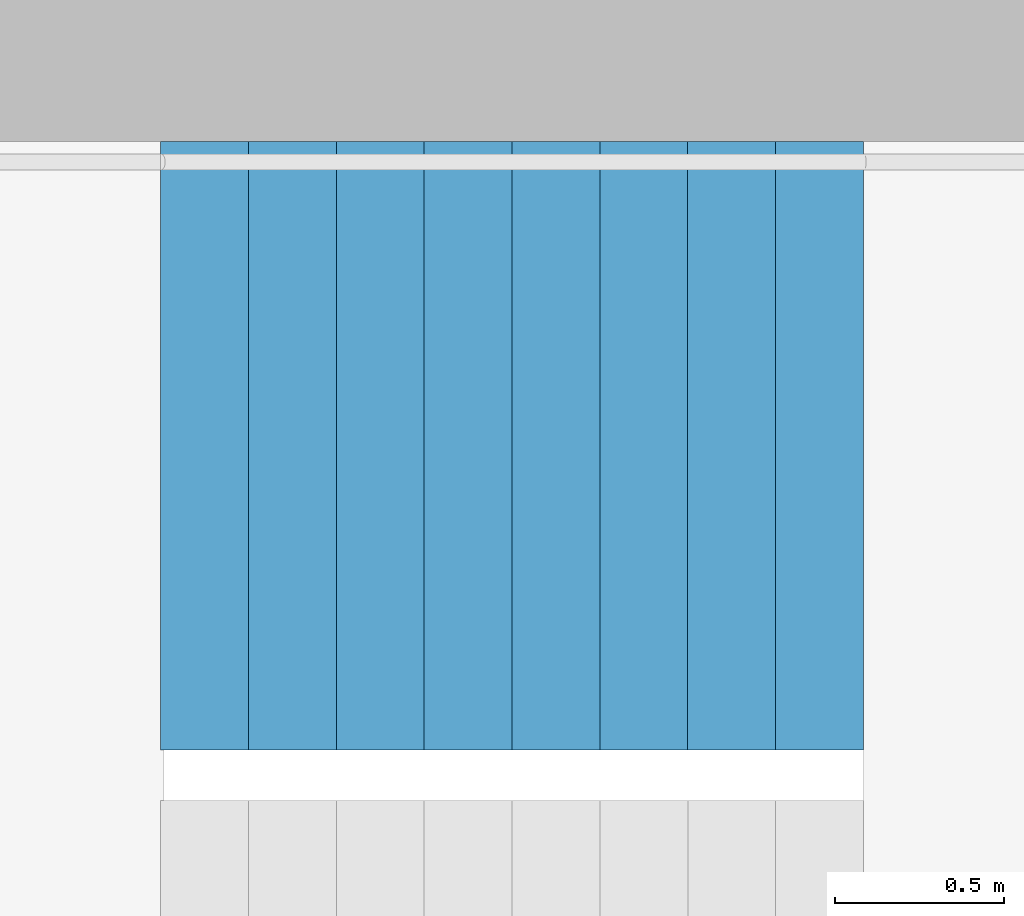
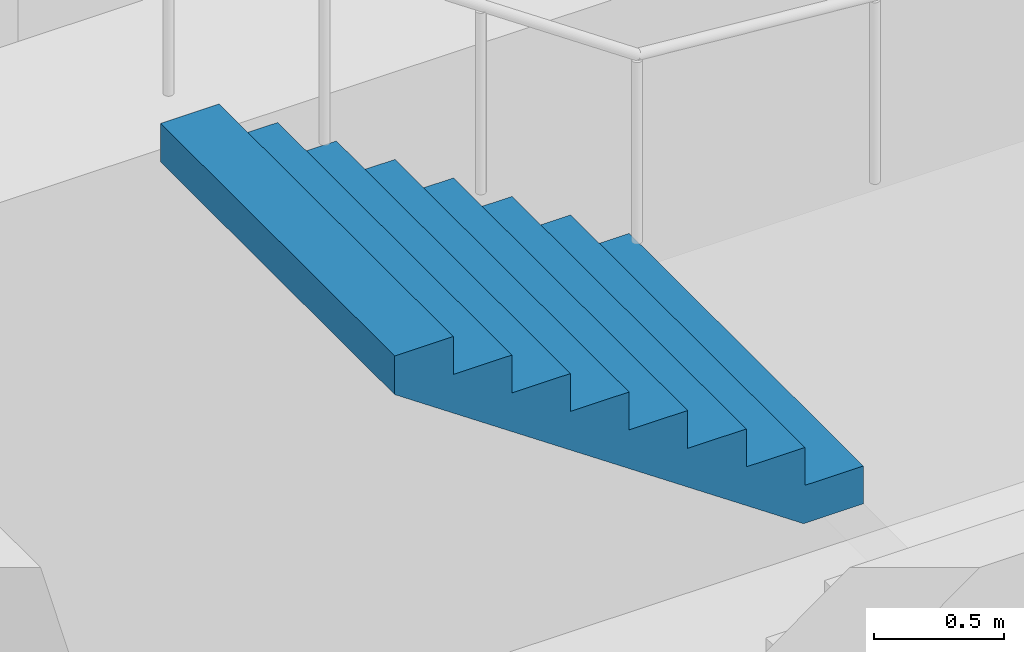
# One storey, part 21 of 26: 1 stair flight, 1 element without a shape of its own.
"""IFC4 building model written with IfcOpenShell, lengths in metres."""

from ifc_helpers import new_model, si_unit, direction, frame, origin, place, context, subcontext, project, spatial, triangles, material, type_object, element, aggregate, save


model = new_model("IFC4")

# Units and contexts
model_context = context("Model", 3, precision=1e-05, world=origin(), true_north=direction((0.0, 1.0)))
body_context = subcontext(model_context, "Body", "Model", "MODEL_VIEW")
ifc_project = project(units=[si_unit("LENGTHUNIT", "METRE"), si_unit("AREAUNIT", "SQUARE_METRE"), si_unit("VOLUMEUNIT", "CUBIC_METRE"), si_unit("PLANEANGLEUNIT", "RADIAN"), si_unit("MASSUNIT", "GRAM", prefix="KILO")], contexts=[model_context])

# Site, building, storey
site_placement = place(None, origin())
site = spatial("IfcSite", under=ifc_project, at=site_placement, CompositionType="ELEMENT")
building_placement = place(site_placement, origin())
building = spatial("IfcBuilding", under=site, at=building_placement, Name="Hakoniwa Tower and Hamabe Station Hall", CompositionType="ELEMENT")
storey_placement = place(building_placement, frame((0.0, 0.0, 225.0)))
storey = spatial("IfcBuildingStorey", under=building, at=storey_placement, Name="L64", CompositionType="ELEMENT", Elevation=225.0)

# Stair, stair flight
ifc_material_1 = material(Name="Concrete C40", Category="concrete")
stair_type = type_object("IfcStairType", Name="ESCAPE STAIR 1800", PredefinedType="HALF_TURN_STAIR", material=ifc_material_1)
stair_placement = place(storey_placement, origin())
stair = element("IfcStair", 1, at=stair_placement, inside=storey, type_object=stair_type, Name="Escape stair ST-1 L64", PredefinedType="HALF_TURN_STAIR")
ifc_material_2 = material(Name="Concrete C40", Category="concrete")
stair_flight_type = type_object("IfcStairFlightType", Name="STAIR FLIGHT 1800", PredefinedType="STRAIGHT", material=ifc_material_2)
stair_flight_placement = place(storey_placement, frame((-22.320068359375, 6.60009765625, 1.60009765625), z_axis=(0.0, 0.0, 1.0), x_axis=(-1.0, 0.0, 0.0)))
stair_flight = element("IfcStairFlight", 2, at=stair_flight_placement, type_object=stair_flight_type, Name="ST-1 flight 2", NumberOfRisers=9, NumberOfTreads=8, PredefinedType="STRAIGHT", RiserHeight=0.177777778, TreadLength=0.26, context=body_context, shape_type="Tessellation", body=[
    triangles([(0.0, 0.89990234375, 0.0), (0.260009765625, 0.89990234375, 0.0), (0.265625, 0.89990234375, 0.0), (0.52001953125, 0.89990234375, 0.174072265625), (0.780029296875, 0.89990234375, 0.351806640625), (1.0400390625, 0.89990234375, 0.529541015625), (1.300048828125, 0.89990234375, 0.707275390625), (1.56005859375, 0.89990234375, 0.885009765625), (1.820068359375, 0.89990234375, 1.062744140625), (2.080078125, 0.89990234375, 1.24072265625), (2.080078125, 0.89990234375, 1.422119140625), (1.820068359375, 0.89990234375, 1.422119140625), (1.820068359375, 0.89990234375, 1.244384765625), (1.56005859375, 0.89990234375, 1.244384765625), (1.56005859375, 0.89990234375, 1.066650390625), (1.300048828125, 0.89990234375, 1.066650390625), (1.300048828125, 0.89990234375, 0.888916015625), (1.0400390625, 0.89990234375, 0.888916015625), (1.0400390625, 0.89990234375, 0.711181640625), (0.780029296875, 0.89990234375, 0.711181640625), (0.780029296875, 0.89990234375, 0.533447265625), (0.52001953125, 0.89990234375, 0.533447265625), (0.52001953125, 0.89990234375, 0.35546875), (0.265625, 0.89990234375, 0.35546875), (0.260009765625, 0.89990234375, 0.35546875), (0.260009765625, 0.89990234375, 0.177734375), (0.0, 0.89990234375, 0.177734375), (0.0, 0.06005859375, 0.0), (0.260009765625, 0.06005859375, 0.0), (0.265625, 0.06005859375, 0.0), (0.52001953125, 0.06005859375, 0.174072265625), (0.780029296875, 0.06005859375, 0.351806640625), (1.0400390625, 0.06005859375, 0.529541015625), (1.300048828125, 0.06005859375, 0.707275390625), (1.56005859375, 0.06005859375, 0.885009765625), (1.820068359375, 0.06005859375, 1.062744140625), (2.080078125, 0.06005859375, 1.24072265625), (2.080078125, 0.06005859375, 1.422119140625), (1.820068359375, 0.06005859375, 1.422119140625), (1.820068359375, 0.06005859375, 1.244384765625), (1.56005859375, 0.06005859375, 1.244384765625), (1.56005859375, 0.06005859375, 1.066650390625), (1.300048828125, 0.06005859375, 1.066650390625), (1.300048828125, 0.06005859375, 0.888916015625), (1.0400390625, 0.06005859375, 0.888916015625), (1.0400390625, 0.06005859375, 0.711181640625), (0.780029296875, 0.06005859375, 0.711181640625), (0.780029296875, 0.06005859375, 0.533447265625), (0.52001953125, 0.06005859375, 0.533447265625), (0.52001953125, 0.06005859375, 0.35546875), (0.265625, 0.06005859375, 0.35546875), (0.260009765625, 0.06005859375, 0.35546875), (0.260009765625, 0.06005859375, 0.177734375), (0.0, 0.06005859375, 0.177734375), (0.0, 0.04296875, 0.0), (0.260009765625, 0.04296875, 0.0), (0.265625, 0.04296875, 0.0), (0.52001953125, 0.04296875, 0.174072265625), (0.780029296875, 0.04296875, 0.351806640625), (1.0400390625, 0.04296875, 0.529541015625), (1.300048828125, 0.04296875, 0.707275390625), (1.56005859375, 0.04296875, 0.885009765625), (1.820068359375, 0.04296875, 1.062744140625), (2.080078125, 0.04296875, 1.24072265625), (2.080078125, 0.04296875, 1.422119140625), (1.820068359375, 0.04296875, 1.422119140625), (1.820068359375, 0.04296875, 1.244384765625), (1.56005859375, 0.04296875, 1.244384765625), (1.56005859375, 0.04296875, 1.066650390625), (1.300048828125, 0.04296875, 1.066650390625), (1.300048828125, 0.04296875, 0.888916015625), (1.0400390625, 0.04296875, 0.888916015625), (1.0400390625, 0.04296875, 0.711181640625), (0.780029296875, 0.04296875, 0.711181640625), (0.780029296875, 0.04296875, 0.533447265625), (0.52001953125, 0.04296875, 0.533447265625), (0.52001953125, 0.04296875, 0.35546875), (0.265625, 0.04296875, 0.35546875), (0.260009765625, 0.04296875, 0.35546875), (0.260009765625, 0.04296875, 0.177734375), (0.0, 0.04296875, 0.177734375), (0.0, 0.025634765625, 0.0), (0.260009765625, 0.025634765625, 0.0), (0.265625, 0.025634765625, 0.0), (0.52001953125, 0.025634765625, 0.174072265625), (0.780029296875, 0.025634765625, 0.351806640625), (1.0400390625, 0.025634765625, 0.529541015625), (1.300048828125, 0.025634765625, 0.707275390625), (1.56005859375, 0.025634765625, 0.885009765625), (1.820068359375, 0.025634765625, 1.062744140625), (2.080078125, 0.025634765625, 1.24072265625), (2.080078125, 0.025634765625, 1.422119140625), (1.820068359375, 0.025634765625, 1.422119140625), (1.820068359375, 0.025634765625, 1.244384765625), (1.56005859375, 0.025634765625, 1.244384765625), (1.56005859375, 0.025634765625, 1.066650390625), (1.300048828125, 0.025634765625, 1.066650390625), (1.300048828125, 0.025634765625, 0.888916015625), (1.0400390625, 0.025634765625, 0.888916015625), (1.0400390625, 0.025634765625, 0.711181640625), (0.780029296875, 0.025634765625, 0.711181640625), (0.780029296875, 0.025634765625, 0.533447265625), (0.52001953125, 0.025634765625, 0.533447265625), (0.52001953125, 0.025634765625, 0.35546875), (0.265625, 0.025634765625, 0.35546875), (0.260009765625, 0.025634765625, 0.35546875), (0.260009765625, 0.025634765625, 0.177734375), (0.0, 0.025634765625, 0.177734375), (0.0, 0.008544921875, 0.0), (0.260009765625, 0.008544921875, 0.0), (0.265625, 0.008544921875, 0.0), (0.52001953125, 0.008544921875, 0.174072265625), (0.780029296875, 0.008544921875, 0.351806640625), (1.0400390625, 0.008544921875, 0.529541015625), (1.300048828125, 0.008544921875, 0.707275390625), (1.56005859375, 0.008544921875, 0.885009765625), (1.820068359375, 0.008544921875, 1.062744140625), (2.080078125, 0.008544921875, 1.24072265625), (2.080078125, 0.008544921875, 1.422119140625), (1.820068359375, 0.008544921875, 1.422119140625), (1.820068359375, 0.008544921875, 1.244384765625), (1.56005859375, 0.008544921875, 1.244384765625), (1.56005859375, 0.008544921875, 1.066650390625), (1.300048828125, 0.008544921875, 1.066650390625), (1.300048828125, 0.008544921875, 0.888916015625), (1.0400390625, 0.008544921875, 0.888916015625), (1.0400390625, 0.008544921875, 0.711181640625), (0.780029296875, 0.008544921875, 0.711181640625), (0.780029296875, 0.008544921875, 0.533447265625), (0.52001953125, 0.008544921875, 0.533447265625), (0.52001953125, 0.008544921875, 0.35546875), (0.265625, 0.008544921875, 0.35546875), (0.260009765625, 0.008544921875, 0.35546875), (0.260009765625, 0.008544921875, 0.177734375), (0.0, 0.008544921875, 0.177734375), (0.0, -0.008544921875, 0.0), (0.260009765625, -0.008544921875, 0.0), (0.265625, -0.008544921875, 0.0), (0.52001953125, -0.008544921875, 0.174072265625), (0.780029296875, -0.008544921875, 0.351806640625), (1.0400390625, -0.008544921875, 0.529541015625), (1.300048828125, -0.008544921875, 0.707275390625), (1.56005859375, -0.008544921875, 0.885009765625), (1.820068359375, -0.008544921875, 1.062744140625), (2.080078125, -0.008544921875, 1.24072265625), (2.080078125, -0.008544921875, 1.422119140625), (1.820068359375, -0.008544921875, 1.422119140625), (1.820068359375, -0.008544921875, 1.244384765625), (1.56005859375, -0.008544921875, 1.244384765625), (1.56005859375, -0.008544921875, 1.066650390625), (1.300048828125, -0.008544921875, 1.066650390625), (1.300048828125, -0.008544921875, 0.888916015625), (1.0400390625, -0.008544921875, 0.888916015625), (1.0400390625, -0.008544921875, 0.711181640625), (0.780029296875, -0.008544921875, 0.711181640625), (0.780029296875, -0.008544921875, 0.533447265625), (0.52001953125, -0.008544921875, 0.533447265625), (0.52001953125, -0.008544921875, 0.35546875), (0.265625, -0.008544921875, 0.35546875), (0.260009765625, -0.008544921875, 0.35546875), (0.260009765625, -0.008544921875, 0.177734375), (0.0, -0.008544921875, 0.177734375), (0.0, -0.025634765625, 0.0), (0.260009765625, -0.025634765625, 0.0), (0.265625, -0.025634765625, 0.0), (0.52001953125, -0.025634765625, 0.174072265625), (0.780029296875, -0.025634765625, 0.351806640625), (1.0400390625, -0.025634765625, 0.529541015625), (1.300048828125, -0.025634765625, 0.707275390625), (1.56005859375, -0.025634765625, 0.885009765625), (1.820068359375, -0.025634765625, 1.062744140625), (2.080078125, -0.025634765625, 1.24072265625), (2.080078125, -0.025634765625, 1.422119140625), (1.820068359375, -0.025634765625, 1.422119140625), (1.820068359375, -0.025634765625, 1.244384765625), (1.56005859375, -0.025634765625, 1.244384765625), (1.56005859375, -0.025634765625, 1.066650390625), (1.300048828125, -0.025634765625, 1.066650390625), (1.300048828125, -0.025634765625, 0.888916015625), (1.0400390625, -0.025634765625, 0.888916015625), (1.0400390625, -0.025634765625, 0.711181640625), (0.780029296875, -0.025634765625, 0.711181640625), (0.780029296875, -0.025634765625, 0.533447265625), (0.52001953125, -0.025634765625, 0.533447265625), (0.52001953125, -0.025634765625, 0.35546875), (0.265625, -0.025634765625, 0.35546875), (0.260009765625, -0.025634765625, 0.35546875), (0.260009765625, -0.025634765625, 0.177734375), (0.0, -0.025634765625, 0.177734375), (0.0, -0.04296875, 0.0), (0.260009765625, -0.04296875, 0.0), (0.265625, -0.04296875, 0.0), (0.52001953125, -0.04296875, 0.174072265625), (0.780029296875, -0.04296875, 0.351806640625), (1.0400390625, -0.04296875, 0.529541015625), (1.300048828125, -0.04296875, 0.707275390625), (1.56005859375, -0.04296875, 0.885009765625), (1.820068359375, -0.04296875, 1.062744140625), (2.080078125, -0.04296875, 1.24072265625), (2.080078125, -0.04296875, 1.422119140625), (1.820068359375, -0.04296875, 1.422119140625), (1.820068359375, -0.04296875, 1.244384765625), (1.56005859375, -0.04296875, 1.244384765625), (1.56005859375, -0.04296875, 1.066650390625), (1.300048828125, -0.04296875, 1.066650390625), (1.300048828125, -0.04296875, 0.888916015625), (1.0400390625, -0.04296875, 0.888916015625), (1.0400390625, -0.04296875, 0.711181640625), (0.780029296875, -0.04296875, 0.711181640625), (0.780029296875, -0.04296875, 0.533447265625), (0.52001953125, -0.04296875, 0.533447265625), (0.52001953125, -0.04296875, 0.35546875), (0.265625, -0.04296875, 0.35546875), (0.260009765625, -0.04296875, 0.35546875), (0.260009765625, -0.04296875, 0.177734375), (0.0, -0.04296875, 0.177734375), (0.0, -0.06005859375, 0.0), (0.260009765625, -0.06005859375, 0.0), (0.265625, -0.06005859375, 0.0), (0.52001953125, -0.06005859375, 0.174072265625), (0.780029296875, -0.06005859375, 0.351806640625), (1.0400390625, -0.06005859375, 0.529541015625), (1.300048828125, -0.06005859375, 0.707275390625), (1.56005859375, -0.06005859375, 0.885009765625), (1.820068359375, -0.06005859375, 1.062744140625), (2.080078125, -0.06005859375, 1.24072265625), (2.080078125, -0.06005859375, 1.422119140625), (1.820068359375, -0.06005859375, 1.422119140625), (1.820068359375, -0.06005859375, 1.244384765625), (1.56005859375, -0.06005859375, 1.244384765625), (1.56005859375, -0.06005859375, 1.066650390625), (1.300048828125, -0.06005859375, 1.066650390625), (1.300048828125, -0.06005859375, 0.888916015625), (1.0400390625, -0.06005859375, 0.888916015625), (1.0400390625, -0.06005859375, 0.711181640625), (0.780029296875, -0.06005859375, 0.711181640625), (0.780029296875, -0.06005859375, 0.533447265625), (0.52001953125, -0.06005859375, 0.533447265625), (0.52001953125, -0.06005859375, 0.35546875), (0.265625, -0.06005859375, 0.35546875), (0.260009765625, -0.06005859375, 0.35546875), (0.260009765625, -0.06005859375, 0.177734375), (0.0, -0.06005859375, 0.177734375), (0.0, -0.89990234375, 0.0), (0.260009765625, -0.89990234375, 0.0), (0.265625, -0.89990234375, 0.0), (0.52001953125, -0.89990234375, 0.174072265625), (0.780029296875, -0.89990234375, 0.351806640625), (1.0400390625, -0.89990234375, 0.529541015625), (1.300048828125, -0.89990234375, 0.707275390625), (1.56005859375, -0.89990234375, 0.885009765625), (1.820068359375, -0.89990234375, 1.062744140625), (2.080078125, -0.89990234375, 1.24072265625), (2.080078125, -0.89990234375, 1.422119140625), (1.820068359375, -0.89990234375, 1.422119140625), (1.820068359375, -0.89990234375, 1.244384765625), (1.56005859375, -0.89990234375, 1.244384765625), (1.56005859375, -0.89990234375, 1.066650390625), (1.300048828125, -0.89990234375, 1.066650390625), (1.300048828125, -0.89990234375, 0.888916015625), (1.0400390625, -0.89990234375, 0.888916015625), (1.0400390625, -0.89990234375, 0.711181640625), (0.780029296875, -0.89990234375, 0.711181640625), (0.780029296875, -0.89990234375, 0.533447265625), (0.52001953125, -0.89990234375, 0.533447265625), (0.52001953125, -0.89990234375, 0.35546875), (0.265625, -0.89990234375, 0.35546875), (0.260009765625, -0.89990234375, 0.35546875), (0.260009765625, -0.89990234375, 0.177734375), (0.0, -0.89990234375, 0.177734375)], [[2, 27, 26], [245, 269, 270], [2, 1, 27], [245, 270, 244], [3, 25, 24], [246, 267, 268], [3, 26, 25], [246, 268, 269], [3, 2, 26], [246, 269, 245], [4, 24, 23], [247, 266, 267], [4, 3, 24], [247, 267, 246], [5, 22, 21], [248, 264, 265], [5, 23, 22], [248, 265, 266], [5, 4, 23], [248, 266, 247], [6, 20, 19], [249, 262, 263], [6, 21, 20], [249, 263, 264], [6, 5, 21], [249, 264, 248], [7, 18, 17], [250, 260, 261], [7, 19, 18], [250, 261, 262], [7, 6, 19], [250, 262, 249], [8, 16, 15], [251, 258, 259], [8, 17, 16], [251, 259, 260], [8, 7, 17], [251, 260, 250], [9, 14, 13], [252, 256, 257], [9, 15, 14], [252, 257, 258], [9, 8, 15], [252, 258, 251], [10, 12, 11], [253, 254, 255], [10, 13, 12], [253, 255, 256], [10, 9, 13], [253, 256, 252], [1, 2, 29], [1, 29, 28], [28, 29, 56], [28, 56, 55], [55, 56, 83], [55, 83, 82], [82, 83, 110], [82, 110, 109], [109, 110, 137], [109, 137, 136], [136, 137, 164], [136, 164, 163], [163, 164, 191], [163, 191, 190], [190, 191, 218], [190, 218, 217], [217, 218, 245], [217, 245, 244], [2, 3, 30], [2, 30, 29], [29, 30, 57], [29, 57, 56], [56, 57, 84], [56, 84, 83], [83, 84, 111], [83, 111, 110], [110, 111, 138], [110, 138, 137], [137, 138, 165], [137, 165, 164], [164, 165, 192], [164, 192, 191], [191, 192, 219], [191, 219, 218], [218, 219, 246], [218, 246, 245], [3, 4, 31], [3, 31, 30], [30, 31, 58], [30, 58, 57], [57, 58, 85], [57, 85, 84], [84, 85, 112], [84, 112, 111], [111, 112, 139], [111, 139, 138], [138, 139, 166], [138, 166, 165], [165, 166, 193], [165, 193, 192], [192, 193, 220], [192, 220, 219], [219, 220, 247], [219, 247, 246], [4, 5, 32], [4, 32, 31], [31, 32, 59], [31, 59, 58], [58, 59, 86], [58, 86, 85], [85, 86, 113], [85, 113, 112], [112, 113, 140], [112, 140, 139], [139, 140, 167], [139, 167, 166], [166, 167, 194], [166, 194, 193], [193, 194, 221], [193, 221, 220], [220, 221, 248], [220, 248, 247], [5, 6, 33], [5, 33, 32], [32, 33, 60], [32, 60, 59], [59, 60, 87], [59, 87, 86], [86, 87, 114], [86, 114, 113], [113, 114, 141], [113, 141, 140], [140, 141, 168], [140, 168, 167], [167, 168, 195], [167, 195, 194], [194, 195, 222], [194, 222, 221], [221, 222, 249], [221, 249, 248], [6, 7, 34], [6, 34, 33], [33, 34, 61], [33, 61, 60], [60, 61, 88], [60, 88, 87], [87, 88, 115], [87, 115, 114], [114, 115, 142], [114, 142, 141], [141, 142, 169], [141, 169, 168], [168, 169, 196], [168, 196, 195], [195, 196, 223], [195, 223, 222], [222, 223, 250], [222, 250, 249], [7, 8, 35], [7, 35, 34], [34, 35, 62], [34, 62, 61], [61, 62, 89], [61, 89, 88], [88, 89, 116], [88, 116, 115], [115, 116, 143], [115, 143, 142], [142, 143, 170], [142, 170, 169], [169, 170, 197], [169, 197, 196], [196, 197, 224], [196, 224, 223], [223, 224, 251], [223, 251, 250], [8, 9, 36], [8, 36, 35], [35, 36, 63], [35, 63, 62], [62, 63, 90], [62, 90, 89], [89, 90, 117], [89, 117, 116], [116, 117, 144], [116, 144, 143], [143, 144, 171], [143, 171, 170], [170, 171, 198], [170, 198, 197], [197, 198, 225], [197, 225, 224], [224, 225, 252], [224, 252, 251], [9, 10, 37], [9, 37, 36], [36, 37, 64], [36, 64, 63], [63, 64, 91], [63, 91, 90], [90, 91, 118], [90, 118, 117], [117, 118, 145], [117, 145, 144], [144, 145, 172], [144, 172, 171], [171, 172, 199], [171, 199, 198], [198, 199, 226], [198, 226, 225], [225, 226, 253], [225, 253, 252], [10, 11, 38], [10, 38, 37], [37, 38, 65], [37, 65, 64], [64, 65, 92], [64, 92, 91], [91, 92, 119], [91, 119, 118], [118, 119, 146], [118, 146, 145], [145, 146, 173], [145, 173, 172], [172, 173, 200], [172, 200, 199], [199, 200, 227], [199, 227, 226], [226, 227, 254], [226, 254, 253], [11, 12, 39], [11, 39, 38], [38, 39, 66], [38, 66, 65], [65, 66, 93], [65, 93, 92], [92, 93, 120], [92, 120, 119], [119, 120, 147], [119, 147, 146], [146, 147, 174], [146, 174, 173], [173, 174, 201], [173, 201, 200], [200, 201, 228], [200, 228, 227], [227, 228, 255], [227, 255, 254], [12, 13, 40], [12, 40, 39], [39, 40, 67], [39, 67, 66], [66, 67, 94], [66, 94, 93], [93, 94, 121], [93, 121, 120], [120, 121, 148], [120, 148, 147], [147, 148, 175], [147, 175, 174], [174, 175, 202], [174, 202, 201], [201, 202, 229], [201, 229, 228], [228, 229, 256], [228, 256, 255], [13, 14, 41], [13, 41, 40], [40, 41, 68], [40, 68, 67], [67, 68, 95], [67, 95, 94], [94, 95, 122], [94, 122, 121], [121, 122, 149], [121, 149, 148], [148, 149, 176], [148, 176, 175], [175, 176, 203], [175, 203, 202], [202, 203, 230], [202, 230, 229], [229, 230, 257], [229, 257, 256], [14, 15, 42], [14, 42, 41], [41, 42, 69], [41, 69, 68], [68, 69, 96], [68, 96, 95], [95, 96, 123], [95, 123, 122], [122, 123, 150], [122, 150, 149], [149, 150, 177], [149, 177, 176], [176, 177, 204], [176, 204, 203], [203, 204, 231], [203, 231, 230], [230, 231, 258], [230, 258, 257], [15, 16, 43], [15, 43, 42], [42, 43, 70], [42, 70, 69], [69, 70, 97], [69, 97, 96], [96, 97, 124], [96, 124, 123], [123, 124, 151], [123, 151, 150], [150, 151, 178], [150, 178, 177], [177, 178, 205], [177, 205, 204], [204, 205, 232], [204, 232, 231], [231, 232, 259], [231, 259, 258], [16, 17, 44], [16, 44, 43], [43, 44, 71], [43, 71, 70], [70, 71, 98], [70, 98, 97], [97, 98, 125], [97, 125, 124], [124, 125, 152], [124, 152, 151], [151, 152, 179], [151, 179, 178], [178, 179, 206], [178, 206, 205], [205, 206, 233], [205, 233, 232], [232, 233, 260], [232, 260, 259], [17, 18, 45], [17, 45, 44], [44, 45, 72], [44, 72, 71], [71, 72, 99], [71, 99, 98], [98, 99, 126], [98, 126, 125], [125, 126, 153], [125, 153, 152], [152, 153, 180], [152, 180, 179], [179, 180, 207], [179, 207, 206], [206, 207, 234], [206, 234, 233], [233, 234, 261], [233, 261, 260], [18, 19, 46], [18, 46, 45], [45, 46, 73], [45, 73, 72], [72, 73, 100], [72, 100, 99], [99, 100, 127], [99, 127, 126], [126, 127, 154], [126, 154, 153], [153, 154, 181], [153, 181, 180], [180, 181, 208], [180, 208, 207], [207, 208, 235], [207, 235, 234], [234, 235, 262], [234, 262, 261], [19, 20, 47], [19, 47, 46], [46, 47, 74], [46, 74, 73], [73, 74, 101], [73, 101, 100], [100, 101, 128], [100, 128, 127], [127, 128, 155], [127, 155, 154], [154, 155, 182], [154, 182, 181], [181, 182, 209], [181, 209, 208], [208, 209, 236], [208, 236, 235], [235, 236, 263], [235, 263, 262], [20, 21, 48], [20, 48, 47], [47, 48, 75], [47, 75, 74], [74, 75, 102], [74, 102, 101], [101, 102, 129], [101, 129, 128], [128, 129, 156], [128, 156, 155], [155, 156, 183], [155, 183, 182], [182, 183, 210], [182, 210, 209], [209, 210, 237], [209, 237, 236], [236, 237, 264], [236, 264, 263], [21, 22, 49], [21, 49, 48], [48, 49, 76], [48, 76, 75], [75, 76, 103], [75, 103, 102], [102, 103, 130], [102, 130, 129], [129, 130, 157], [129, 157, 156], [156, 157, 184], [156, 184, 183], [183, 184, 211], [183, 211, 210], [210, 211, 238], [210, 238, 237], [237, 238, 265], [237, 265, 264], [22, 23, 50], [22, 50, 49], [49, 50, 77], [49, 77, 76], [76, 77, 104], [76, 104, 103], [103, 104, 131], [103, 131, 130], [130, 131, 158], [130, 158, 157], [157, 158, 185], [157, 185, 184], [184, 185, 212], [184, 212, 211], [211, 212, 239], [211, 239, 238], [238, 239, 266], [238, 266, 265], [23, 24, 51], [23, 51, 50], [50, 51, 78], [50, 78, 77], [77, 78, 105], [77, 105, 104], [104, 105, 132], [104, 132, 131], [131, 132, 159], [131, 159, 158], [158, 159, 186], [158, 186, 185], [185, 186, 213], [185, 213, 212], [212, 213, 240], [212, 240, 239], [239, 240, 267], [239, 267, 266], [24, 25, 52], [24, 52, 51], [51, 52, 79], [51, 79, 78], [78, 79, 106], [78, 106, 105], [105, 106, 133], [105, 133, 132], [132, 133, 160], [132, 160, 159], [159, 160, 187], [159, 187, 186], [186, 187, 214], [186, 214, 213], [213, 214, 241], [213, 241, 240], [240, 241, 268], [240, 268, 267], [25, 26, 53], [25, 53, 52], [52, 53, 80], [52, 80, 79], [79, 80, 107], [79, 107, 106], [106, 107, 134], [106, 134, 133], [133, 134, 161], [133, 161, 160], [160, 161, 188], [160, 188, 187], [187, 188, 215], [187, 215, 214], [214, 215, 242], [214, 242, 241], [241, 242, 269], [241, 269, 268], [26, 27, 54], [26, 54, 53], [53, 54, 81], [53, 81, 80], [80, 81, 108], [80, 108, 107], [107, 108, 135], [107, 135, 134], [134, 135, 162], [134, 162, 161], [161, 162, 189], [161, 189, 188], [188, 189, 216], [188, 216, 215], [215, 216, 243], [215, 243, 242], [242, 243, 270], [242, 270, 269], [27, 1, 28], [27, 28, 54], [54, 28, 55], [54, 55, 81], [81, 55, 82], [81, 82, 108], [108, 82, 109], [108, 109, 135], [135, 109, 136], [135, 136, 162], [162, 136, 163], [162, 163, 189], [189, 163, 190], [189, 190, 216], [216, 190, 217], [216, 217, 243], [243, 217, 244], [243, 244, 270]], closed=True),
])
aggregate(stair, [stair_flight])

save(model, "model.ifc")
